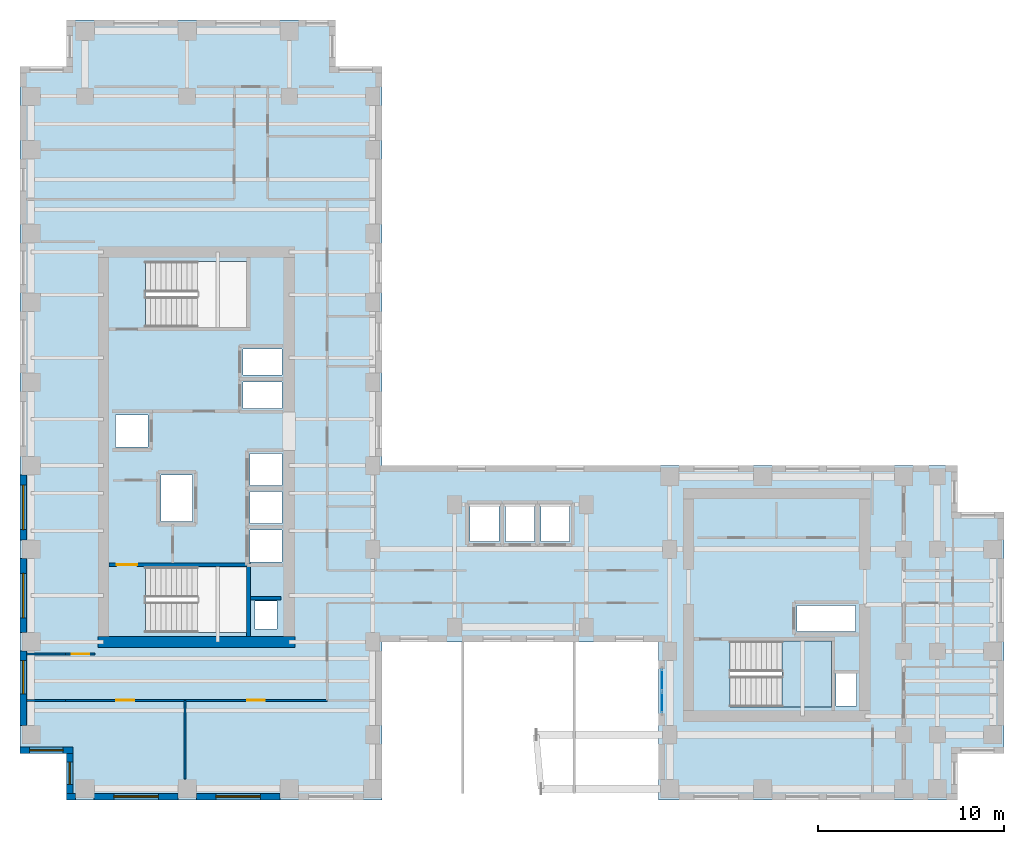
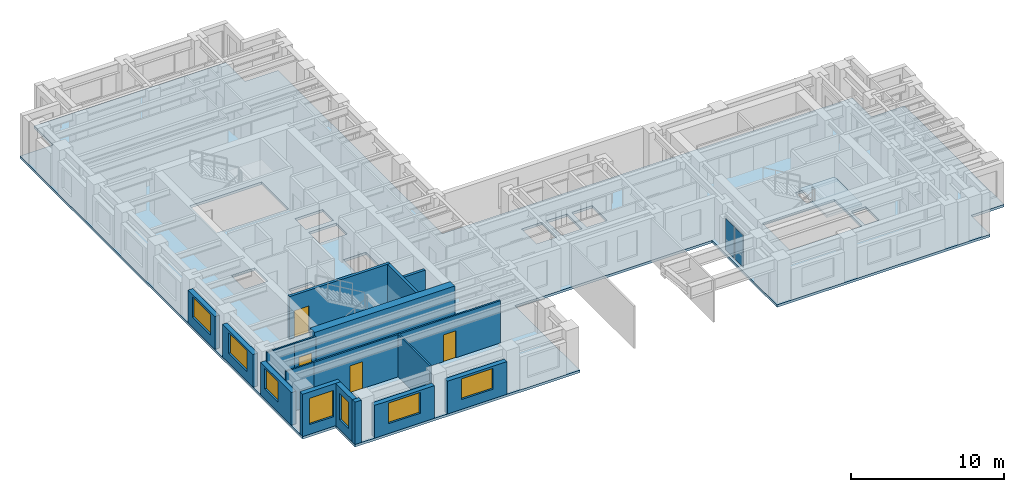
# One storey, part 5 of 13: 18 walls, 7 windows, 4 doors, 2 plates, 2 slabs, 11 openings, 2 elements without a shape of their own.
"""IFC4 building model written with IfcOpenShell, lengths in metres."""

from ifc_helpers import new_model, si_unit, direction, frame, frame_2d, origin, origin_2d, place, context, subcontext, project, spatial, polyline, rectangle, outline, extrude, source, transform, mapped, material, layer, layer_set, type_object, element, fill, aggregate, save


model = new_model("IFC4")

# Units and contexts
model_context = context("Model", 3, precision=1e-05, world=origin(), true_north=direction((0.0, 1.0)))
body_context = subcontext(model_context, "Body", "Model", "MODEL_VIEW")
ifc_project = project(units=[si_unit("LENGTHUNIT", "METRE"), si_unit("AREAUNIT", "SQUARE_METRE"), si_unit("VOLUMEUNIT", "CUBIC_METRE"), si_unit("PLANEANGLEUNIT", "RADIAN"), si_unit("MASSUNIT", "GRAM", prefix="KILO")], contexts=[model_context])

# Site, building, storey
site_placement = place(None, origin())
site = spatial("IfcSite", under=ifc_project, at=site_placement, CompositionType="ELEMENT")
building_placement = place(site_placement, origin())
building = spatial("IfcBuilding", under=site, at=building_placement, Name="Kharzan Plaza Tower", CompositionType="ELEMENT")
storey_placement = place(building_placement, frame((0.0, 0.0, 161.10009765625)))
storey = spatial("IfcBuildingStorey", under=building, at=storey_placement, Name="L43", CompositionType="ELEMENT", Elevation=161.10009765625)

# Slab
ifc_material_1 = material(Name="Concrete C40/50", Category="concrete")
ifc_layer_1 = layer(ifc_material_1, 0.199951171875)
ifc_layer_set_1 = layer_set([ifc_layer_1], Name="Concrete C40/50")
slab_type_1 = type_object("IfcSlabType", Name="SL-FLOOR-200", PredefinedType="FLOOR", material=ifc_layer_set_1)
slab_1_placement = place(storey_placement, frame((0.0, 0.0, -0.2001953125)))
element("IfcSlab", 1, at=slab_1_placement, inside=storey, type_object=slab_type_1, Name="L43 Composite Structural Floor Slab 200 mm", PredefinedType="FLOOR", context=body_context, shape_type="SweptSolid", body=[
    extrude(outline(polyline([(34.39990234375, 18.0), (19.5, 18.0), (19.5, 39.5), (17.0, 39.5), (17.0, 42.0), (2.5, 42.0), (2.5, 39.5), (0.0, 39.5), (0.0, 2.5), (2.5, 2.5), (2.5, 0.0), (19.5, 0.0), (19.5, 8.5), (34.39990234375, 8.5), (34.39990234375, 0.0), (50.5, 0.0), (50.5, 2.5), (53.0, 2.5), (53.0, 15.5), (50.5, 15.5), (50.5, 18.0), (34.39990234375, 18.0)]), holes=[polyline([(12.199951171875, 9.0), (12.199951171875, 12.550048828125), (6.75, 12.550048828125), (6.75, 9.0), (12.199951171875, 9.0)]), polyline([(14.10009765625, 12.800048828125), (14.10009765625, 14.530029296875), (12.39990234375, 14.530029296875), (12.39990234375, 12.800048828125), (14.10009765625, 12.800048828125)]), polyline([(14.10009765625, 14.8701171875), (14.10009765625, 16.60009765625), (12.39990234375, 16.60009765625), (12.39990234375, 14.8701171875), (14.10009765625, 14.8701171875)]), polyline([(9.300048828125, 15.0), (9.300048828125, 17.5), (7.60009765625, 17.5), (7.60009765625, 15.0), (9.300048828125, 15.0)]), polyline([(6.89990234375, 19.010009765625), (6.89990234375, 20.72998046875), (5.14990234375, 20.72998046875), (5.14990234375, 19.010009765625), (6.89990234375, 19.010009765625)]), polyline([(14.10009765625, 21.070068359375), (14.10009765625, 22.489990234375), (12.0, 22.489990234375), (12.0, 21.070068359375), (14.10009765625, 21.070068359375)]), polyline([(14.10009765625, 22.8701171875), (14.10009765625, 24.2900390625), (12.0, 24.2900390625), (12.0, 22.8701171875), (14.10009765625, 22.8701171875)]), polyline([(12.199951171875, 25.449951171875), (12.199951171875, 29.0), (6.75, 29.0), (6.75, 25.449951171875), (12.199951171875, 25.449951171875)]), polyline([(45.050048828125, 5.050048828125), (45.050048828125, 6.800048828125), (43.949951171875, 6.800048828125), (43.949951171875, 5.050048828125), (45.050048828125, 5.050048828125)]), polyline([(43.699951171875, 5.0), (43.699951171875, 8.550048828125), (38.25, 8.550048828125), (38.25, 5.0), (43.699951171875, 5.0)]), polyline([(45.0, 9.070068359375), (45.0, 10.469970703125), (41.85009765625, 10.469970703125), (41.85009765625, 9.070068359375), (45.0, 9.070068359375)]), polyline([(13.85009765625, 9.199951171875), (13.85009765625, 10.699951171875), (12.64990234375, 10.699951171875), (12.64990234375, 9.199951171875), (13.85009765625, 9.199951171875)]), polyline([(25.800048828125, 13.89990234375), (25.800048828125, 15.85009765625), (24.25, 15.85009765625), (24.25, 13.89990234375), (25.800048828125, 13.89990234375)]), polyline([(27.699951171875, 13.89990234375), (27.699951171875, 15.85009765625), (26.14990234375, 15.85009765625), (26.14990234375, 13.89990234375), (27.699951171875, 13.89990234375)]), polyline([(29.60009765625, 13.89990234375), (29.60009765625, 15.85009765625), (28.050048828125, 15.85009765625), (28.050048828125, 13.89990234375), (29.60009765625, 13.89990234375)]), polyline([(14.10009765625, 16.93994140625), (14.10009765625, 18.64990234375), (12.39990234375, 18.64990234375), (12.39990234375, 16.93994140625), (14.10009765625, 16.93994140625)])]), origin(), (0.0, 0.0, 1.0), 0.2001953125),
])

# Stair, slab
stair_type = type_object("IfcStairType", Name="STR-ST-3", PredefinedType="HALF_TURN_STAIR", material=ifc_material_1)
stair_placement = place(storey_placement, origin())
stair = element("IfcStair", 2, at=stair_placement, inside=storey, type_object=stair_type, Name="L43 Protected Exit Stair ST-3", PredefinedType="HALF_TURN_STAIR")
ifc_layer_2 = layer(ifc_material_1, 0.219970703125)
ifc_layer_set_2 = layer_set([ifc_layer_2], Name="Concrete C40/50")
slab_type_2 = type_object("IfcSlabType", Name="SL-LANDING-220", PredefinedType="LANDING", material=ifc_layer_set_2)
slab_2_placement = place(storey_placement, frame((0.0, 0.0, 1.599853515625)))
slab_2 = element("IfcSlab", 3, at=slab_2_placement, type_object=slab_type_2, Name="ST-3 landing 1", PredefinedType="LANDING", context=body_context, shape_type="SweptSolid", body=[
    extrude(outline(polyline([(41.050048828125, 5.0), (43.699951171875, 5.0), (43.699951171875, 8.550048828125), (41.050048828125, 8.550048828125), (41.050048828125, 5.0)])), origin(), (0.0, 0.0, 1.0), 0.199951171875),
])
aggregate(stair, [slab_2])

# Curtain wall, plates
ifc_material_2 = material(Name="Unitised Bronze-Anodized Aluminium and Low-E Glass", Category="aluminium")
ifc_layer_3 = layer(ifc_material_2, 0.199951171875)
ifc_layer_set_3 = layer_set([ifc_layer_3], Name="Unitised Bronze-Anodized Aluminium and Low-E Glass")
curtain_wall_type = type_object("IfcCurtainWallType", Name="CW-SLOT-3", PredefinedType="NOTDEFINED", material=ifc_layer_set_3)
curtain_wall_placement = place(storey_placement, origin())
curtain_wall = element("IfcCurtainWall", 4, at=curtain_wall_placement, inside=storey, type_object=curtain_wall_type, Name="L43 East Slot Recessed Spine Curtain Wall", PredefinedType="NOTDEFINED")
ifc_material_3 = material(Name="Dark Solar-Control Double Glazing", Category="glass")
ifc_layer_4 = layer(ifc_material_3, 0.031982421875)
ifc_layer_set_4 = layer_set([ifc_layer_4], Name="Dark Solar-Control Double Glazing")
plate_type = type_object("IfcPlateType", Name="PLT-CW-GLASS", PredefinedType="CURTAIN_PANEL", material=ifc_layer_set_4)
shared_shape_1 = source(origin(), body_context, "Body", "SweptSolid", [
    extrude(rectangle(XDim=1.080078125, YDim=0.031982421875, at=origin_2d()), origin(), (0.0, 0.0, 1.0), 2.5400390625),
])
plate_1_placement = place(storey_placement, frame((34.580078125, 5.25, 0.079833984375), z_axis=(0.0, 0.0, 1.0), x_axis=(0.0, 1.0, 0.0)))
plate_1 = element("IfcPlate", 5, at=plate_1_placement, type_object=plate_type, Name="L43 Curtain-Wall Glazed Panel 00", PredefinedType="CURTAIN_PANEL", context=body_context, shape_type="MappedRepresentation", body=[
    mapped(shared_shape_1, transform((0.0, 0.0, 0.0), x_axis=(1.0, 0.0, 0.0), y_axis=(0.0, 1.0, 0.0), z_axis=(0.0, 0.0, 1.0))),
])
plate_2_placement = place(storey_placement, frame((34.580078125, 6.449951171875, 0.079833984375), z_axis=(0.0, 0.0, 1.0), x_axis=(0.0, 1.0, 0.0)))
plate_2 = element("IfcPlate", 6, at=plate_2_placement, type_object=plate_type, Name="L43 Curtain-Wall Glazed Panel 01", PredefinedType="CURTAIN_PANEL", context=body_context, shape_type="MappedRepresentation", body=[
    mapped(shared_shape_1, transform((0.0, 0.0, 0.0), x_axis=(1.0, 0.0, 0.0), y_axis=(0.0, 1.0, 0.0), z_axis=(0.0, 0.0, 1.0))),
])
aggregate(curtain_wall, [plate_1, plate_2])

# Wall, opening, window
ifc_layer_5 = layer(ifc_material_1, 0.35009765625)
ifc_layer_set_5 = layer_set([ifc_layer_5], Name="Concrete C40/50")
wall_type_1 = type_object("IfcWallType", Name="WL-EXT-MAS-Z3", PredefinedType="SOLIDWALL", material=ifc_layer_set_5)
wall_1_placement = place(storey_placement, frame((0.175048828125, 17.501953125, 0.0), z_axis=(0.0, 0.0, 1.0), x_axis=(0.0, -1.0, 0.0)))
wall_1 = element("IfcWall", 7, at=wall_1_placement, inside=storey, type_object=wall_type_1, Name="L43 Masonry-Frame Exterior Wall 15", PredefinedType="SOLIDWALL", context=body_context, shape_type="SweptSolid", body=[
    extrude(rectangle(XDim=3.50390625, YDim=0.35009765625, at=frame_2d((1.751953125, 0.0))), origin(), (0.0, 0.0, 1.0), 2.61181640625),
])
opening_1_placement = place(wall_1_placement, frame((0.552001953125, 0.0, 0.780029296875)))
opening_1 = element("IfcOpeningElement", 8, at=opening_1_placement, cuts=wall_1, Name="Opening W2", PredefinedType="OPENING", context=body_context, shape_type="SweptSolid", body=[
    extrude(rectangle(XDim=2.39990234375, YDim=1.652099609375, at=frame_2d((1.199951171875, 0.826171875))), frame((0.0, 0.18505859375, 0.0), z_axis=(0.0, -1.0, 0.0), x_axis=(1.0, 0.0, 0.0)), (0.0, 0.0, 1.0), 0.3701171875),
])
ifc_material_4 = material(Name="Low-E Double Glazing", Category="glass")
window_type_1 = type_object("IfcWindowType", Name="WN-REC-2400x2100", PartitioningType="SINGLE_PANEL", PredefinedType="WINDOW", material=ifc_material_4)
shared_shape_2 = source(origin(), body_context, "Body", "SweptSolid", [
    extrude(rectangle(XDim=2.39990234375, YDim=1.652099609375, at=frame_2d((1.199951171875, 0.826171875))), frame((0.0, 0.030029296875, 0.0), z_axis=(0.0, -1.0, 0.0), x_axis=(1.0, 0.0, 0.0)), (0.0, 0.0, 1.0), 0.06005859375),
])
window_1_placement = place(opening_1_placement, origin())
window_1 = element("IfcWindow", 9, at=window_1_placement, inside=storey, type_object=window_type_1, Name="L43 Wide Recessed Solar-Control Window 15-1", OverallHeight=1.652099609375, OverallWidth=2.39990234375, PartitioningType="SINGLE_PANEL", PredefinedType="WINDOW", context=body_context, shape_type="MappedRepresentation", body=[
    mapped(shared_shape_2, transform((0.0, 0.0, 0.0), x_axis=(1.0, 0.0, 0.0), y_axis=(0.0, 1.0, 0.0), z_axis=(0.0, 0.0, 1.0))),
])
fill(opening_1, window_1)

wall_2_placement = place(storey_placement, frame((0.175048828125, 13.001953125, 0.0), z_axis=(0.0, 0.0, 1.0), x_axis=(0.0, -1.0, 0.0)))
wall_2 = element("IfcWall", 10, at=wall_2_placement, inside=storey, type_object=wall_type_1, Name="L43 Masonry-Frame Exterior Wall 16", PredefinedType="SOLIDWALL", context=body_context, shape_type="SweptSolid", body=[
    extrude(rectangle(XDim=4.00390625, YDim=0.35009765625, at=frame_2d((2.001953125, 0.0))), origin(), (0.0, 0.0, 1.0), 2.61181640625),
])
opening_2_placement = place(wall_2_placement, frame((0.802001953125, 0.0, 0.780029296875)))
opening_2 = element("IfcOpeningElement", 11, at=opening_2_placement, cuts=wall_2, Name="Opening W2", PredefinedType="OPENING", context=body_context, shape_type="SweptSolid", body=[
    extrude(rectangle(XDim=2.39990234375, YDim=1.652099609375, at=frame_2d((1.199951171875, 0.826171875))), frame((0.0, 0.18505859375, 0.0), z_axis=(0.0, -1.0, 0.0), x_axis=(1.0, 0.0, 0.0)), (0.0, 0.0, 1.0), 0.3701171875),
])
window_2_placement = place(opening_2_placement, origin())
window_2 = element("IfcWindow", 12, at=window_2_placement, inside=storey, type_object=window_type_1, Name="L43 Wide Recessed Solar-Control Window 16-1", OverallHeight=1.652099609375, OverallWidth=2.39990234375, PartitioningType="SINGLE_PANEL", PredefinedType="WINDOW", context=body_context, shape_type="MappedRepresentation", body=[
    mapped(shared_shape_2, transform((0.0, 0.0, 0.0), x_axis=(1.0, 0.0, 0.0), y_axis=(0.0, 1.0, 0.0), z_axis=(0.0, 0.0, 1.0))),
])
fill(opening_2, window_2)

wall_3_placement = place(storey_placement, frame((0.175048828125, 8.001953125, 0.0), z_axis=(0.0, 0.0, 1.0), x_axis=(0.0, -1.0, 0.0)))
wall_3 = element("IfcWall", 13, at=wall_3_placement, inside=storey, type_object=wall_type_1, Name="L43 Masonry-Frame Exterior Wall 17", PredefinedType="SOLIDWALL", context=body_context, shape_type="SweptSolid", body=[
    extrude(rectangle(XDim=4.00390625, YDim=0.35009765625, at=frame_2d((2.001953125, 0.0))), origin(), (0.0, 0.0, 1.0), 2.61181640625),
])
opening_3_placement = place(wall_3_placement, frame((0.501953125, 0.0, 0.780029296875)))
opening_3 = element("IfcOpeningElement", 14, at=opening_3_placement, cuts=wall_3, Name="Opening W1", PredefinedType="OPENING", context=body_context, shape_type="SweptSolid", body=[
    extrude(rectangle(XDim=1.800048828125, YDim=1.652099609375, at=frame_2d((0.89990234375, 0.826171875))), frame((0.0, 0.18505859375, 0.0), z_axis=(0.0, -1.0, 0.0), x_axis=(1.0, 0.0, 0.0)), (0.0, 0.0, 1.0), 0.3701171875),
])
window_type_2 = type_object("IfcWindowType", Name="WN-REC-1800x2100", PartitioningType="SINGLE_PANEL", PredefinedType="WINDOW", material=ifc_material_4)
shared_shape_3 = source(origin(), body_context, "Body", "SweptSolid", [
    extrude(rectangle(XDim=1.800048828125, YDim=1.652099609375, at=frame_2d((0.89990234375, 0.826171875))), frame((0.0, 0.030029296875, 0.0), z_axis=(0.0, -1.0, 0.0), x_axis=(1.0, 0.0, 0.0)), (0.0, 0.0, 1.0), 0.06005859375),
])
window_3_placement = place(opening_3_placement, origin())
window_3 = element("IfcWindow", 15, at=window_3_placement, inside=storey, type_object=window_type_2, Name="L43 Recessed Solar-Control Window 17-1", OverallHeight=1.652099609375, OverallWidth=1.800048828125, PartitioningType="SINGLE_PANEL", PredefinedType="WINDOW", context=body_context, shape_type="MappedRepresentation", body=[
    mapped(shared_shape_3, transform((0.0, 0.0, 0.0), x_axis=(1.0, 0.0, 0.0), y_axis=(0.0, 1.0, 0.0), z_axis=(0.0, 0.0, 1.0))),
])
fill(opening_3, window_3)

wall_4_placement = place(storey_placement, frame((0.0, 2.675048828125, 0.0), z_axis=(0.0, 0.0, 1.0), x_axis=(1.0, 0.0, 0.0)))
wall_4 = element("IfcWall", 16, at=wall_4_placement, inside=storey, type_object=wall_type_1, Name="L43 Masonry-Frame Exterior Wall 18", PredefinedType="SOLIDWALL", context=body_context, shape_type="SweptSolid", body=[
    extrude(rectangle(XDim=2.85009765625, YDim=0.35009765625, at=frame_2d((1.425048828125, 0.0))), origin(), (0.0, 0.0, 1.0), 3.385009765625),
])
opening_4_placement = place(wall_4_placement, frame((0.52490234375, 0.0, 0.780029296875)))
opening_4 = element("IfcOpeningElement", 17, at=opening_4_placement, cuts=wall_4, Name="Opening W1", PredefinedType="OPENING", context=body_context, shape_type="SweptSolid", body=[
    extrude(rectangle(XDim=1.800048828125, YDim=2.10009765625, at=frame_2d((0.89990234375, 1.050048828125))), frame((0.0, 0.18505859375, 0.0), z_axis=(0.0, -1.0, 0.0), x_axis=(1.0, 0.0, 0.0)), (0.0, 0.0, 1.0), 0.3701171875),
])
shared_shape_4 = source(origin(), body_context, "Body", "SweptSolid", [
    extrude(rectangle(XDim=1.800048828125, YDim=2.10009765625, at=frame_2d((0.89990234375, 1.050048828125))), frame((0.0, 0.030029296875, 0.0), z_axis=(0.0, -1.0, 0.0), x_axis=(1.0, 0.0, 0.0)), (0.0, 0.0, 1.0), 0.06005859375),
])
window_4_placement = place(opening_4_placement, origin())
window_4 = element("IfcWindow", 18, at=window_4_placement, inside=storey, type_object=window_type_2, Name="L43 Recessed Solar-Control Window 18-1", OverallHeight=2.10009765625, OverallWidth=1.800048828125, PartitioningType="SINGLE_PANEL", PredefinedType="WINDOW", context=body_context, shape_type="MappedRepresentation", body=[
    mapped(shared_shape_4, transform((0.0, 0.0, 0.0), x_axis=(1.0, 0.0, 0.0), y_axis=(0.0, 1.0, 0.0), z_axis=(0.0, 0.0, 1.0))),
])
fill(opening_4, window_4)

wall_5_placement = place(storey_placement, frame((2.675048828125, 2.501953125, 0.0), z_axis=(0.0, 0.0, 1.0), x_axis=(0.0, -1.0, 0.0)))
wall_5 = element("IfcWall", 19, at=wall_5_placement, inside=storey, type_object=wall_type_1, Name="L43 Masonry-Frame Exterior Wall 19", PredefinedType="SOLIDWALL", context=body_context, shape_type="SweptSolid", body=[
    extrude(rectangle(XDim=2.154052734375, YDim=0.35009765625, at=frame_2d((1.0771484375, 0.0))), origin(), (0.0, 0.0, 1.0), 3.385009765625),
])
opening_5_placement = place(wall_5_placement, frame((0.47705078125, 0.0, 0.780029296875)))
opening_5 = element("IfcOpeningElement", 20, at=opening_5_placement, cuts=wall_5, Name="Opening W3", PredefinedType="OPENING", context=body_context, shape_type="SweptSolid", body=[
    extrude(rectangle(XDim=1.199951171875, YDim=2.10009765625, at=frame_2d((0.60009765625, 1.050048828125))), frame((0.0, 0.18505859375, 0.0), z_axis=(0.0, -1.0, 0.0), x_axis=(1.0, 0.0, 0.0)), (0.0, 0.0, 1.0), 0.3701171875),
])
window_type_3 = type_object("IfcWindowType", Name="WN-REC-1200x2100", PartitioningType="SINGLE_PANEL", PredefinedType="WINDOW", material=ifc_material_4)
shared_shape_5 = source(origin(), body_context, "Body", "SweptSolid", [
    extrude(rectangle(XDim=1.199951171875, YDim=2.10009765625, at=frame_2d((0.60009765625, 1.050048828125))), frame((0.0, 0.030029296875, 0.0), z_axis=(0.0, -1.0, 0.0), x_axis=(1.0, 0.0, 0.0)), (0.0, 0.0, 1.0), 0.06005859375),
])
window_5_placement = place(opening_5_placement, origin())
window_5 = element("IfcWindow", 21, at=window_5_placement, inside=storey, type_object=window_type_3, Name="L43 Recessed Solar-Control Window 19-1", OverallHeight=2.10009765625, OverallWidth=1.199951171875, PartitioningType="SINGLE_PANEL", PredefinedType="WINDOW", context=body_context, shape_type="MappedRepresentation", body=[
    mapped(shared_shape_5, transform((0.0, 0.0, 0.0), x_axis=(1.0, 0.0, 0.0), y_axis=(0.0, 1.0, 0.0), z_axis=(0.0, 0.0, 1.0))),
])
fill(opening_5, window_5)

wall_6_placement = place(storey_placement, frame((3.998046875, 0.175048828125, 0.0), z_axis=(0.0, 0.0, 1.0), x_axis=(1.0, 0.0, 0.0)))
wall_6 = element("IfcWall", 22, at=wall_6_placement, inside=storey, type_object=wall_type_1, Name="L43 Masonry-Frame Exterior Wall 21", PredefinedType="SOLIDWALL", context=body_context, shape_type="SweptSolid", body=[
    extrude(rectangle(XDim=4.50390625, YDim=0.35009765625, at=frame_2d((2.251953125, 0.0))), origin(), (0.0, 0.0, 1.0), 2.61181640625),
])
opening_6_placement = place(wall_6_placement, frame((1.052001953125, 0.0, 0.780029296875)))
opening_6 = element("IfcOpeningElement", 23, at=opening_6_placement, cuts=wall_6, Name="Opening W2", PredefinedType="OPENING", context=body_context, shape_type="SweptSolid", body=[
    extrude(rectangle(XDim=2.39990234375, YDim=1.652099609375, at=frame_2d((1.199951171875, 0.826171875))), frame((0.0, 0.18505859375, 0.0), z_axis=(0.0, -1.0, 0.0), x_axis=(1.0, 0.0, 0.0)), (0.0, 0.0, 1.0), 0.3701171875),
])
window_6_placement = place(opening_6_placement, origin())
window_6 = element("IfcWindow", 24, at=window_6_placement, inside=storey, type_object=window_type_1, Name="L43 Wide Recessed Solar-Control Window 21-1", OverallHeight=1.652099609375, OverallWidth=2.39990234375, PartitioningType="SINGLE_PANEL", PredefinedType="WINDOW", context=body_context, shape_type="MappedRepresentation", body=[
    mapped(shared_shape_2, transform((0.0, 0.0, 0.0), x_axis=(1.0, 0.0, 0.0), y_axis=(0.0, 1.0, 0.0), z_axis=(0.0, 0.0, 1.0))),
])
fill(opening_6, window_6)

wall_7_placement = place(storey_placement, frame((9.498046875, 0.175048828125, 0.0), z_axis=(0.0, 0.0, 1.0), x_axis=(1.0, 0.0, 0.0)))
wall_7 = element("IfcWall", 25, at=wall_7_placement, inside=storey, type_object=wall_type_1, Name="L43 Masonry-Frame Exterior Wall 22", PredefinedType="SOLIDWALL", context=body_context, shape_type="SweptSolid", body=[
    extrude(rectangle(XDim=4.50390625, YDim=0.35009765625, at=frame_2d((2.251953125, 0.0))), origin(), (0.0, 0.0, 1.0), 2.61181640625),
])
opening_7_placement = place(wall_7_placement, frame((1.052001953125, 0.0, 0.780029296875)))
opening_7 = element("IfcOpeningElement", 26, at=opening_7_placement, cuts=wall_7, Name="Opening W2", PredefinedType="OPENING", context=body_context, shape_type="SweptSolid", body=[
    extrude(rectangle(XDim=2.39990234375, YDim=1.652099609375, at=frame_2d((1.199951171875, 0.826171875))), frame((0.0, 0.18505859375, 0.0), z_axis=(0.0, -1.0, 0.0), x_axis=(1.0, 0.0, 0.0)), (0.0, 0.0, 1.0), 0.3701171875),
])
window_7_placement = place(opening_7_placement, origin())
window_7 = element("IfcWindow", 27, at=window_7_placement, inside=storey, type_object=window_type_1, Name="L43 Wide Recessed Solar-Control Window 22-1", OverallHeight=1.652099609375, OverallWidth=2.39990234375, PartitioningType="SINGLE_PANEL", PredefinedType="WINDOW", context=body_context, shape_type="MappedRepresentation", body=[
    mapped(shared_shape_2, transform((0.0, 0.0, 0.0), x_axis=(1.0, 0.0, 0.0), y_axis=(0.0, 1.0, 0.0), z_axis=(0.0, 0.0, 1.0))),
])
fill(opening_7, window_7)

# Wall, opening, door
ifc_material_5 = material(Name="Fire-Rated Gypsum Board Partition", Category="gypsum")
ifc_layer_6 = layer(ifc_material_5, 0.125)
ifc_layer_set_6 = layer_set([ifc_layer_6], Name="Fire-Rated Gypsum Board Partition")
wall_type_2 = type_object("IfcWallType", Name="WL-INT-PART-125", PredefinedType="PARTITIONING", material=ifc_layer_set_6)
wall_8_placement = place(storey_placement, frame((2.449951171875, 7.85009765625, 0.0), z_axis=(0.0, 0.0, 1.0), x_axis=(1.0, 0.0, 0.0)))
wall_8 = element("IfcWall", 28, at=wall_8_placement, inside=storey, type_object=wall_type_2, Name="L43 Interior Partition SH-RWSD", PredefinedType="PARTITIONING", context=body_context, shape_type="SweptSolid", body=[
    extrude(rectangle(XDim=1.60009765625, YDim=0.125, at=frame_2d((0.800048828125, 0.0))), origin(), (0.0, 0.0, 1.0), 3.385009765625),
])
opening_8_placement = place(wall_8_placement, frame((0.324951171875, 0.0, 0.0)))
opening_8 = element("IfcOpeningElement", 29, at=opening_8_placement, cuts=wall_8, Name="Opening OD1", PredefinedType="OPENING", context=body_context, shape_type="SweptSolid", body=[
    extrude(rectangle(XDim=0.949951171875, YDim=2.14990234375, at=frame_2d((0.47509765625, 1.074951171875))), frame((0.0, 0.072509765625, 0.0), z_axis=(0.0, -1.0, 0.0), x_axis=(1.0, 0.0, 0.0)), (0.0, 0.0, 1.0), 0.14501953125),
])
ifc_material_6 = material(Name="Acoustic Solid-Core Stained Oak", Category="timber")
door_type_1 = type_object("IfcDoorType", Name="DR-OFF-SINGLE", OperationType="NOTDEFINED", PredefinedType="DOOR", material=ifc_material_6)
shared_shape_6 = source(origin(), body_context, "Body", "SweptSolid", [
    extrude(rectangle(XDim=0.949951171875, YDim=2.14990234375, at=frame_2d((0.47509765625, 1.074951171875))), frame((0.0, 0.02490234375, 0.0), z_axis=(0.0, -1.0, 0.0), x_axis=(1.0, 0.0, 0.0)), (0.0, 0.0, 1.0), 0.050048828125),
])
door_1_placement = place(opening_8_placement, origin())
door_1 = element("IfcDoor", 30, at=door_1_placement, inside=storey, type_object=door_type_1, Name="L43 West Studio South Door", OperationType="SINGLE_SWING_LEFT", OverallHeight=2.14990234375, OverallWidth=0.949951171875, PredefinedType="DOOR", context=body_context, shape_type="MappedRepresentation", body=[
    mapped(shared_shape_6, transform((0.0, 0.0, 0.0), x_axis=(1.0, 0.0, 0.0), y_axis=(0.0, 1.0, 0.0), z_axis=(0.0, 0.0, 1.0))),
])
fill(opening_8, door_1)

wall_9_placement = place(storey_placement, frame((2.449951171875, 5.35009765625, 0.0), z_axis=(0.0, 0.0, 1.0), x_axis=(1.0, 0.0, 0.0)))
wall_9 = element("IfcWall", 31, at=wall_9_placement, inside=storey, type_object=wall_type_2, Name="L43 Interior Partition SH-SS-1", PredefinedType="PARTITIONING", context=body_context, shape_type="SweptSolid", body=[
    extrude(rectangle(XDim=6.43896484375, YDim=0.125, at=frame_2d((3.219482421875, 0.0))), origin(), (0.0, 0.0, 1.0), 3.385009765625),
])
opening_9_placement = place(wall_9_placement, frame((2.744384765625, 0.0, 0.0)))
opening_9 = element("IfcOpeningElement", 32, at=opening_9_placement, cuts=wall_9, Name="Opening OD1", PredefinedType="OPENING", context=body_context, shape_type="SweptSolid", body=[
    extrude(rectangle(XDim=0.949951171875, YDim=2.14990234375, at=frame_2d((0.47509765625, 1.074951171875))), frame((0.0, 0.072509765625, 0.0), z_axis=(0.0, -1.0, 0.0), x_axis=(1.0, 0.0, 0.0)), (0.0, 0.0, 1.0), 0.14501953125),
])
door_2_placement = place(opening_9_placement, origin())
door_2 = element("IfcDoor", 33, at=door_2_placement, inside=storey, type_object=door_type_1, Name="L43 Data Processing Office Door", OperationType="SINGLE_SWING_RIGHT", OverallHeight=2.14990234375, OverallWidth=0.949951171875, PredefinedType="DOOR", context=body_context, shape_type="MappedRepresentation", body=[
    mapped(shared_shape_6, transform((0.0, 0.0, 0.0), x_axis=(1.0, 0.0, 0.0), y_axis=(0.0, 1.0, 0.0), z_axis=(0.0, 0.0, 1.0))),
])
fill(opening_9, door_2)

wall_10_placement = place(storey_placement, frame((8.888916015625, 5.35009765625, 0.0), z_axis=(0.0, 0.0, 1.0), x_axis=(1.0, 0.0, 0.0)))
wall_10 = element("IfcWall", 34, at=wall_10_placement, inside=storey, type_object=wall_type_2, Name="L43 Interior Partition SH-SS-2", PredefinedType="PARTITIONING", context=body_context, shape_type="SweptSolid", body=[
    extrude(rectangle(XDim=7.6611328125, YDim=0.125, at=frame_2d((3.83056640625, 0.0))), origin(), (0.0, 0.0, 1.0), 3.385009765625),
])
opening_10_placement = place(wall_10_placement, frame((3.35546875, 0.0, 0.0)))
opening_10 = element("IfcOpeningElement", 35, at=opening_10_placement, cuts=wall_10, Name="Opening OD1", PredefinedType="OPENING", context=body_context, shape_type="SweptSolid", body=[
    extrude(rectangle(XDim=0.949951171875, YDim=2.14990234375, at=frame_2d((0.47509765625, 1.074951171875))), frame((0.0, 0.072509765625, 0.0), z_axis=(0.0, -1.0, 0.0), x_axis=(1.0, 0.0, 0.0)), (0.0, 0.0, 1.0), 0.14501953125),
])
door_3_placement = place(opening_10_placement, origin())
door_3 = element("IfcDoor", 36, at=door_3_placement, inside=storey, type_object=door_type_1, Name="L43 Staff Tea Pantry Door", OperationType="SINGLE_SWING_LEFT", OverallHeight=2.14990234375, OverallWidth=0.949951171875, PredefinedType="DOOR", context=body_context, shape_type="MappedRepresentation", body=[
    mapped(shared_shape_6, transform((0.0, 0.0, 0.0), x_axis=(1.0, 0.0, 0.0), y_axis=(0.0, 1.0, 0.0), z_axis=(0.0, 0.0, 1.0))),
])
fill(opening_10, door_3)

ifc_material_7 = material(Name="Concrete C50/60", Category="concrete")
ifc_layer_7 = layer(ifc_material_7, 0.199951171875)
ifc_layer_set_7 = layer_set([ifc_layer_7], Name="Concrete C50/60")
wall_type_3 = type_object("IfcWallType", Name="WL-SHAFT-RC200", PredefinedType="SHEAR", material=ifc_layer_set_7)
wall_11_placement = place(storey_placement, frame((4.802001953125, 12.655029296875, 0.0), z_axis=(0.0, 0.0, 1.0), x_axis=(1.0, 0.0, 0.0)))
wall_11 = element("IfcWall", 37, at=wall_11_placement, inside=storey, type_object=wall_type_3, Name="L43 Stair ST-1 North RC Shaft Wall", PredefinedType="SHEAR", context=body_context, shape_type="SweptSolid", body=[
    extrude(rectangle(XDim=7.60302734375, YDim=0.199951171875, at=frame_2d((3.801513671875, 0.0))), origin(), (0.0, 0.0, 1.0), 3.39990234375),
])
opening_11_placement = place(wall_11_placement, frame((0.39990234375, 0.0, 0.0)))
opening_11 = element("IfcOpeningElement", 38, at=opening_11_placement, cuts=wall_11, Name="Opening SD1", PredefinedType="OPENING", context=body_context, shape_type="SweptSolid", body=[
    extrude(rectangle(XDim=1.10009765625, YDim=2.14990234375, at=frame_2d((0.550048828125, 1.074951171875))), frame((0.0, 0.10986328125, 0.0), z_axis=(0.0, -1.0, 0.0), x_axis=(1.0, 0.0, 0.0)), (0.0, 0.0, 1.0), 0.219970703125),
])
ifc_material_8 = material(Name="Fire-Rated Hollow Galvanized Steel", Category="steel")
door_type_2 = type_object("IfcDoorType", Name="DR-STAIR-FD120", OperationType="NOTDEFINED", PredefinedType="DOOR", material=ifc_material_8)
shared_shape_7 = source(origin(), body_context, "Body", "SweptSolid", [
    extrude(rectangle(XDim=1.10009765625, YDim=2.14990234375, at=frame_2d((0.550048828125, 1.074951171875))), frame((0.0, 0.02490234375, 0.0), z_axis=(0.0, -1.0, 0.0), x_axis=(1.0, 0.0, 0.0)), (0.0, 0.0, 1.0), 0.050048828125),
])
door_4_placement = place(opening_11_placement, origin())
door_4 = element("IfcDoor", 39, at=door_4_placement, inside=storey, type_object=door_type_2, Name="L43 Stair ST-1 Fire Exit Door", OperationType="SINGLE_SWING_LEFT", OverallHeight=2.14990234375, OverallWidth=1.10009765625, PredefinedType="DOOR", context=body_context, shape_type="MappedRepresentation", body=[
    mapped(shared_shape_7, transform((0.0, 0.0, 0.0), x_axis=(1.0, 0.0, 0.0), y_axis=(0.0, 1.0, 0.0), z_axis=(0.0, 0.0, 1.0))),
])
fill(opening_11, door_4)

# Walls
ifc_layer_8 = layer(ifc_material_7, 0.60009765625)
ifc_layer_set_8 = layer_set([ifc_layer_8], Name="Concrete C50/60")
wall_type_4 = type_object("IfcWallType", Name="WL-CORE-600", PredefinedType="SHEAR", material=ifc_layer_set_8)
shared_shape_8 = source(origin(), body_context, "Body", "SweptSolid", [
    extrude(rectangle(XDim=10.60009765625, YDim=0.60009765625, at=frame_2d((5.300048828125, 0.0))), origin(), (0.0, 0.0, 1.0), 3.39990234375),
])
wall_12_placement = place(storey_placement, frame((4.199951171875, 8.5, 0.0), z_axis=(0.0, 0.0, 1.0), x_axis=(1.0, 0.0, 0.0)))
element("IfcWall", 40, at=wall_12_placement, inside=storey, type_object=wall_type_4, Name="L43 CORE-A south RC shear wall", PredefinedType="SHEAR", context=body_context, shape_type="MappedRepresentation", body=[
    mapped(shared_shape_8, transform((0.0, 0.0, 0.0), x_axis=(1.0, 0.0, 0.0), y_axis=(0.0, 1.0, 0.0), z_axis=(0.0, 0.0, 1.0))),
])
shared_shape_9 = source(origin(), body_context, "Body", "SweptSolid", [
    extrude(rectangle(XDim=0.501953125, YDim=0.35009765625, at=frame_2d((0.2509765625, 0.0))), origin(), (0.0, 0.0, 1.0), 3.385009765625),
])
wall_13_placement = place(storey_placement, frame((2.5, 0.175048828125, 0.0), z_axis=(0.0, 0.0, 1.0), x_axis=(1.0, 0.0, 0.0)))
element("IfcWall", 41, at=wall_13_placement, inside=storey, type_object=wall_type_1, Name="L43 Masonry-Frame Exterior Wall 20", PredefinedType="SOLIDWALL", context=body_context, shape_type="MappedRepresentation", body=[
    mapped(shared_shape_9, transform((0.0, 0.0, 0.0), x_axis=(1.0, 0.0, 0.0), y_axis=(0.0, 1.0, 0.0), z_axis=(0.0, 0.0, 1.0))),
])
shared_shape_10 = source(origin(), body_context, "Body", "SweptSolid", [
    extrude(rectangle(XDim=2.097900390625, YDim=0.125, at=frame_2d((1.048828125, 0.0))), origin(), (0.0, 0.0, 1.0), 3.385009765625),
])
for number, where, z_axis, x_axis, name in (
    (42, (0.35205078125, 7.85009765625, 0.0), (0.0, 0.0, 1.0), (1.0, 0.0, 0.0), "L43 Interior Partition SH-RWS0"),
    (43, (0.35205078125, 5.35009765625, 0.0), (0.0, 0.0, 1.0), (1.0, 0.0, 0.0), "L43 Interior Partition SH-SS-EXT"),
):
    element("IfcWall", number, at=place(storey_placement, frame(where, z_axis=z_axis, x_axis=x_axis)), inside=storey, type_object=wall_type_2, Name=name, PredefinedType="PARTITIONING", context=body_context, shape_type="MappedRepresentation", body=[
        mapped(shared_shape_10, transform((0.0, 0.0, 0.0), x_axis=(1.0, 0.0, 0.0), y_axis=(0.0, 1.0, 0.0), z_axis=(0.0, 0.0, 1.0))),
    ])
ifc_layer_9 = layer(ifc_material_1, 0.199951171875)
ifc_layer_set_9 = layer_set([ifc_layer_9], Name="Concrete C40/50")
wall_type_5 = type_object("IfcWallType", Name="WL-INT-SHAFT-200", PredefinedType="PARTITIONING", material=ifc_layer_set_9)
shared_shape_11 = source(origin(), body_context, "Body", "SweptSolid", [
    extrude(rectangle(XDim=1.630126953125, YDim=0.199951171875, at=frame_2d((0.81494140625, 0.0))), origin(), (0.0, 0.0, 1.0), 3.385009765625),
])
wall_14_placement = place(storey_placement, frame((12.419921875, 10.85009765625, 0.0), z_axis=(0.0, 0.0, 1.0), x_axis=(1.0, 0.0, 0.0)))
element("IfcWall", 44, at=wall_14_placement, inside=storey, type_object=wall_type_5, Name="L43 Interior Partition CA-RSRA-N", PredefinedType="PARTITIONING", context=body_context, shape_type="MappedRepresentation", body=[
    mapped(shared_shape_11, transform((0.0, 0.0, 0.0), x_axis=(1.0, 0.0, 0.0), y_axis=(0.0, 1.0, 0.0), z_axis=(0.0, 0.0, 1.0))),
])
shared_shape_12 = source(origin(), body_context, "Body", "SweptSolid", [
    extrude(rectangle(XDim=3.7529296875, YDim=0.199951171875, at=frame_2d((1.87646484375, 0.0))), origin(), (0.0, 0.0, 1.0), 3.39990234375),
])
wall_15_placement = place(storey_placement, frame((12.304931640625, 8.802001953125, 0.0), z_axis=(0.0, 0.0, 1.0), x_axis=(0.0, 1.0, 0.0)))
element("IfcWall", 45, at=wall_15_placement, inside=storey, type_object=wall_type_3, Name="L43 Stair ST-1 East RC Shaft Wall", PredefinedType="SHEAR", context=body_context, shape_type="MappedRepresentation", body=[
    mapped(shared_shape_12, transform((0.0, 0.0, 0.0), x_axis=(1.0, 0.0, 0.0), y_axis=(0.0, 1.0, 0.0), z_axis=(0.0, 0.0, 1.0))),
])
shared_shape_13 = source(origin(), body_context, "Body", "SweptSolid", [
    extrude(rectangle(XDim=4.22998046875, YDim=0.125, at=frame_2d((2.114990234375, 0.0))), origin(), (0.0, 0.0, 1.0), 3.385009765625),
])
wall_16_placement = place(storey_placement, frame((8.888916015625, 1.1201171875, 0.0), z_axis=(0.0, 0.0, 1.0), x_axis=(0.0, 1.0, 0.0)))
element("IfcWall", 46, at=wall_16_placement, inside=storey, type_object=wall_type_2, Name="L43 Interior Partition SH-SV-1", PredefinedType="PARTITIONING", context=body_context, shape_type="MappedRepresentation", body=[
    mapped(shared_shape_13, transform((0.0, 0.0, 0.0), x_axis=(1.0, 0.0, 0.0), y_axis=(0.0, 1.0, 0.0), z_axis=(0.0, 0.0, 1.0))),
])

save(model, "model.ifc")
